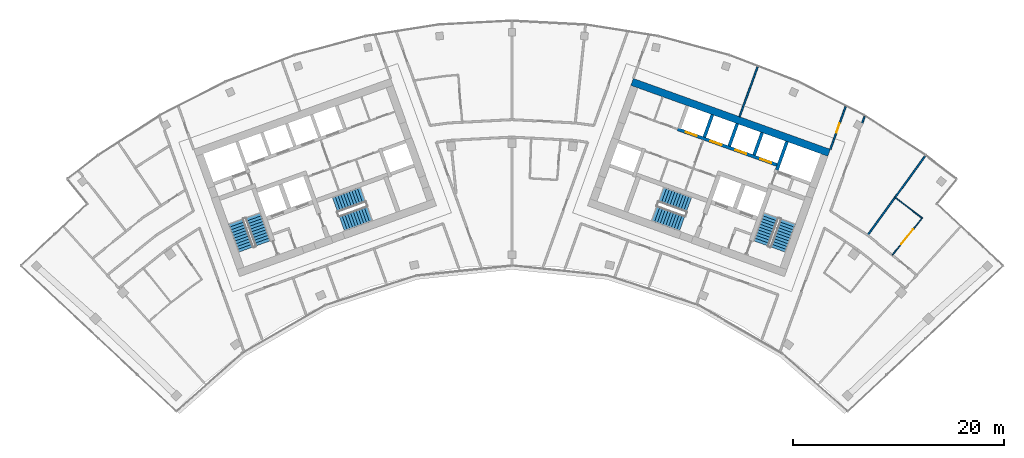
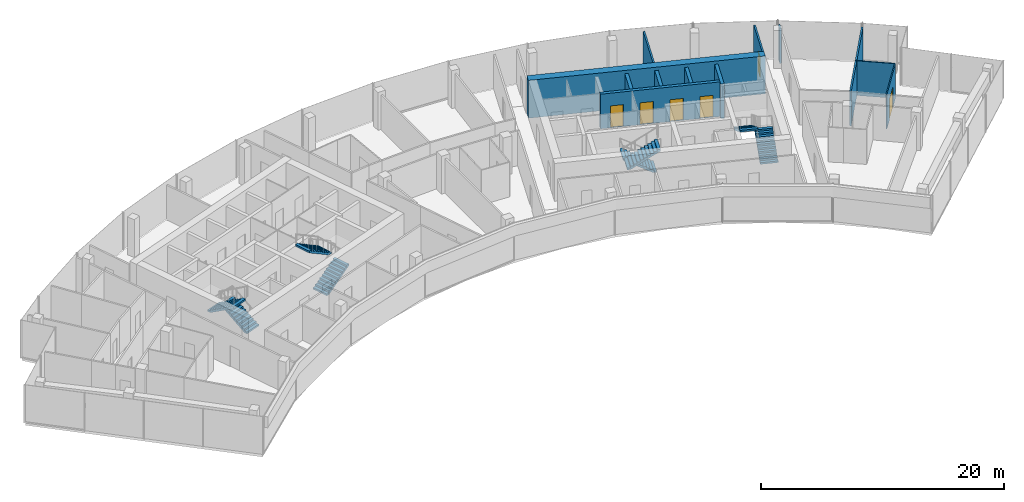
# One storey, part 17 of 18: 13 walls, 8 stair flights, 6 doors, 6 openings, 4 elements without a shape of their own.
"""IFC4 building model written with IfcOpenShell, lengths in metres."""

from ifc_helpers import new_model, si_unit, direction, frame, frame_2d, origin, place, context, subcontext, project, spatial, polyline, rectangle, outline, extrude, material, layer, layer_set, type_object, element, fill, aggregate, save


model = new_model("IFC4")

# Units and contexts
model_context = context("Model", 3, precision=1e-05, world=origin(), true_north=direction((0.0, 1.0)))
body_context = subcontext(model_context, "Body", "Model", "MODEL_VIEW")
ifc_project = project(units=[si_unit("LENGTHUNIT", "METRE"), si_unit("AREAUNIT", "SQUARE_METRE"), si_unit("VOLUMEUNIT", "CUBIC_METRE"), si_unit("PLANEANGLEUNIT", "RADIAN"), si_unit("MASSUNIT", "GRAM", prefix="KILO")], contexts=[model_context])

# Site, building, storey
site_placement = place(None, origin())
site = spatial("IfcSite", under=ifc_project, at=site_placement, CompositionType="ELEMENT")
building_placement = place(site_placement, origin())
building = spatial("IfcBuilding", under=site, at=building_placement, Name="Stone Belt Terrace Tower", CompositionType="ELEMENT")
storey_placement = place(building_placement, frame((0.0, 0.0, 296.0)))
storey = spatial("IfcBuildingStorey", under=building, at=storey_placement, Name="L72", CompositionType="ELEMENT", Elevation=296.0)

# Walls
ifc_material_1 = material(Name="Concrete B60", Category="concrete")
ifc_layer_1 = layer(ifc_material_1, 0.699951171875)
ifc_layer_set_1 = layer_set([ifc_layer_1], Name="Core wall 700 B60")
wall_type_1 = type_object("IfcWallType", Name="Core wall 700 B60", PredefinedType="SHEAR", material=ifc_layer_set_1)
wall_1_placement = place(storey_placement, frame((11.35791015625, 60.795654296875, 0.0), z_axis=(0.0, 0.0, 1.0), x_axis=(0.940919787944, -0.33862952124, 0.0)))
element("IfcWall", 1, at=wall_1_placement, inside=storey, type_object=wall_type_1, Name="Core B wall convex L72", PredefinedType="SHEAR", context=body_context, shape_type="SweptSolid", body=[
    extrude(rectangle(XDim=19.7998046875, YDim=0.699951171875, at=frame_2d((9.89990234375, 0.0))), origin(), (0.0, 0.0, 1.0), 3.800048828125),
])
ifc_material_2 = material(Name="Concrete B80", Category="concrete")
ifc_layer_2 = layer(ifc_material_2, 0.300048828125)
ifc_layer_set_2 = layer_set([ifc_layer_2], Name="Lift shaft wall 300")
wall_type_2 = type_object("IfcWallType", Name="Lift shaft wall 300", PredefinedType="SHEAR", material=ifc_layer_set_2)
wall_2_placement = place(storey_placement, frame((25.046875, 52.46826171875, 0.0), z_axis=(0.0, 0.0, 1.0), x_axis=(0.338549588058, 0.940948551423, 0.0)))
element("IfcWall", 2, at=wall_2_placement, inside=storey, type_object=wall_type_2, Name="Core B wall", PredefinedType="SHEAR", context=body_context, shape_type="SweptSolid", body=[
    extrude(rectangle(XDim=2.849853515625, YDim=0.300048828125, at=frame_2d((1.4248046875, 0.0))), origin(), (0.0, 0.0, 1.0), 3.47998046875),
])

# Wall, openings, doors
wall_3_placement = place(storey_placement, frame((25.05810546875, 52.9423828125, 0.0), z_axis=(0.0, 0.0, 1.0), x_axis=(-0.940924441602, 0.338616590255, 0.0)))
wall_3 = element("IfcWall", 3, at=wall_3_placement, inside=storey, type_object=wall_type_2, Name="Core B wall", PredefinedType="SHEAR", context=body_context, shape_type="SweptSolid", body=[
    extrude(rectangle(XDim=10.000244140625, YDim=0.300048828125, at=frame_2d((5.0, 0.0))), origin(), (0.0, 0.0, 1.0), 3.47998046875),
])
opening_1_placement = place(wall_3_placement, frame((0.570068359375, 0.0, 0.0)))
opening_1 = element("IfcOpeningElement", 4, at=opening_1_placement, cuts=wall_3, Name="Opening L72-LD08", PredefinedType="OPENING", context=body_context, shape_type="SweptSolid", body=[
    extrude(rectangle(XDim=1.10009765625, YDim=2.199951171875, at=frame_2d((0.550048828125, 1.10009765625))), frame((0.0, 0.159912109375, 0.0), z_axis=(0.0, -1.0, 0.0), x_axis=(1.0, 0.0, 0.0)), (0.0, 0.0, 1.0), 0.320068359375),
])
opening_2_placement = place(wall_3_placement, frame((3.070068359375, 0.0, 0.0)))
opening_2 = element("IfcOpeningElement", 5, at=opening_2_placement, cuts=wall_3, Name="Opening L72-LD09", PredefinedType="OPENING", context=body_context, shape_type="SweptSolid", body=[
    extrude(rectangle(XDim=1.10009765625, YDim=2.199951171875, at=frame_2d((0.550048828125, 1.10009765625))), frame((0.0, 0.159912109375, 0.0), z_axis=(0.0, -1.0, 0.0), x_axis=(1.0, 0.0, 0.0)), (0.0, 0.0, 1.0), 0.320068359375),
])
opening_3_placement = place(wall_3_placement, frame((5.570068359375, 0.0, 0.0)))
opening_3 = element("IfcOpeningElement", 6, at=opening_3_placement, cuts=wall_3, Name="Opening L72-LD10", PredefinedType="OPENING", context=body_context, shape_type="SweptSolid", body=[
    extrude(rectangle(XDim=1.10009765625, YDim=2.199951171875, at=frame_2d((0.550048828125, 1.10009765625))), frame((0.0, 0.159912109375, 0.0), z_axis=(0.0, -1.0, 0.0), x_axis=(1.0, 0.0, 0.0)), (0.0, 0.0, 1.0), 0.320068359375),
])
opening_4_placement = place(wall_3_placement, frame((8.070068359375, 0.0, 0.0)))
opening_4 = element("IfcOpeningElement", 7, at=opening_4_placement, cuts=wall_3, Name="Opening L72-LD11", PredefinedType="OPENING", context=body_context, shape_type="SweptSolid", body=[
    extrude(rectangle(XDim=1.10009765625, YDim=2.199951171875, at=frame_2d((0.550048828125, 1.10009765625))), frame((0.0, 0.159912109375, 0.0), z_axis=(0.0, -1.0, 0.0), x_axis=(1.0, 0.0, 0.0)), (0.0, 0.0, 1.0), 0.320068359375),
])
ifc_material_3 = material(Name="Stainless steel door leaf", Category="steel")
door_type_1 = type_object("IfcDoorType", Name="Landing door 1100", OperationType="SLIDING_TO_LEFT", PredefinedType="DOOR", material=ifc_material_3)
door_1_placement = place(opening_1_placement, origin())
door_1 = element("IfcDoor", 8, at=door_1_placement, inside=storey, type_object=door_type_1, Name="Landing door HR1 core B", OperationType="SLIDING_TO_LEFT", OverallHeight=2.199951171875, OverallWidth=1.10009765625, PredefinedType="DOOR", context=body_context, shape_type="SweptSolid", body=[
    extrude(rectangle(XDim=1.10009765625, YDim=2.199951171875, at=frame_2d((0.550048828125, 1.10009765625))), frame((0.0, 0.02490234375, 0.0), z_axis=(0.0, -1.0, 0.0), x_axis=(1.0, 0.0, 0.0)), (0.0, 0.0, 1.0), 0.050048828125),
])
fill(opening_1, door_1)
door_2_placement = place(opening_2_placement, origin())
door_2 = element("IfcDoor", 9, at=door_2_placement, inside=storey, type_object=door_type_1, Name="Landing door HR2 core B", OperationType="SLIDING_TO_LEFT", OverallHeight=2.199951171875, OverallWidth=1.10009765625, PredefinedType="DOOR", context=body_context, shape_type="SweptSolid", body=[
    extrude(rectangle(XDim=1.10009765625, YDim=2.199951171875, at=frame_2d((0.550048828125, 1.10009765625))), frame((0.0, 0.02490234375, 0.0), z_axis=(0.0, -1.0, 0.0), x_axis=(1.0, 0.0, 0.0)), (0.0, 0.0, 1.0), 0.050048828125),
])
fill(opening_2, door_2)
door_3_placement = place(opening_3_placement, origin())
door_3 = element("IfcDoor", 10, at=door_3_placement, inside=storey, type_object=door_type_1, Name="Landing door HR3 core B", OperationType="SLIDING_TO_LEFT", OverallHeight=2.199951171875, OverallWidth=1.10009765625, PredefinedType="DOOR", context=body_context, shape_type="SweptSolid", body=[
    extrude(rectangle(XDim=1.10009765625, YDim=2.199951171875, at=frame_2d((0.550048828125, 1.10009765625))), frame((0.0, 0.02490234375, 0.0), z_axis=(0.0, -1.0, 0.0), x_axis=(1.0, 0.0, 0.0)), (0.0, 0.0, 1.0), 0.050048828125),
])
fill(opening_3, door_3)
door_4_placement = place(opening_4_placement, origin())
door_4 = element("IfcDoor", 11, at=door_4_placement, inside=storey, type_object=door_type_1, Name="Landing door HR4 core B", OperationType="SLIDING_TO_LEFT", OverallHeight=2.199951171875, OverallWidth=1.10009765625, PredefinedType="DOOR", context=body_context, shape_type="SweptSolid", body=[
    extrude(rectangle(XDim=1.10009765625, YDim=2.199951171875, at=frame_2d((0.550048828125, 1.10009765625))), frame((0.0, 0.02490234375, 0.0), z_axis=(0.0, -1.0, 0.0), x_axis=(1.0, 0.0, 0.0)), (0.0, 0.0, 1.0), 0.050048828125),
])
fill(opening_4, door_4)

# Walls
wall_4_placement = place(storey_placement, frame((22.897705078125, 53.87939453125, 0.0), z_axis=(0.0, 0.0, 1.0), x_axis=(0.338535034312, 0.940953787677, 0.0)))
element("IfcWall", 12, at=wall_4_placement, inside=storey, type_object=wall_type_2, Name="Core B wall", PredefinedType="SHEAR", context=body_context, shape_type="SweptSolid", body=[
    extrude(rectangle(XDim=2.25, YDim=0.300048828125, at=frame_2d((1.125, 0.0))), origin(), (0.0, 0.0, 1.0), 3.47998046875),
])
wall_5_placement = place(storey_placement, frame((20.54541015625, 54.72607421875, 0.0), z_axis=(0.0, 0.0, 1.0), x_axis=(0.338569601369, 0.940941350472, 0.0)))
element("IfcWall", 13, at=wall_5_placement, inside=storey, type_object=wall_type_2, Name="Core B wall", PredefinedType="SHEAR", context=body_context, shape_type="SweptSolid", body=[
    extrude(rectangle(XDim=2.249755859375, YDim=0.300048828125, at=frame_2d((1.125, 0.0))), origin(), (0.0, 0.0, 1.0), 3.47998046875),
])
wall_6_placement = place(storey_placement, frame((18.193115234375, 55.572509765625, 0.0), z_axis=(0.0, 0.0, 1.0), x_axis=(0.338535034312, 0.940953787677, 0.0)))
element("IfcWall", 14, at=wall_6_placement, inside=storey, type_object=wall_type_2, Name="Core B wall", PredefinedType="SHEAR", context=body_context, shape_type="SweptSolid", body=[
    extrude(rectangle(XDim=2.25, YDim=0.300048828125, at=frame_2d((1.125, 0.0))), origin(), (0.0, 0.0, 1.0), 3.47998046875),
])

# Wall, opening, door
ifc_material_4 = material(Name="Gypsum board partition")
ifc_layer_3 = layer(ifc_material_4, 0.10009765625)
ifc_layer_set_3 = layer_set([ifc_layer_3], Name="PARTITION 100")
wall_type_3 = type_object("IfcWallType", Name="PARTITION 100", PredefinedType="PARTITIONING", material=ifc_layer_set_3)
wall_7_placement = place(storey_placement, frame((35.964111328125, 44.410888671875, 0.0), z_axis=(0.0, 0.0, 1.0), x_axis=(0.629177935628, 0.777261297968, 0.0)))
wall_7 = element("IfcWall", 15, at=wall_7_placement, inside=storey, type_object=wall_type_3, Name="L72/wall/i083", PredefinedType="PARTITIONING", context=body_context, shape_type="SweptSolid", body=[
    extrude(rectangle(XDim=4.499267578125, YDim=0.10009765625, at=frame_2d((2.24951171875, 0.0))), origin(), (0.0, 0.0, 1.0), 3.47998046875),
])
opening_5_placement = place(wall_7_placement, frame((1.349609375, 0.0, 0.0)))
opening_5 = element("IfcOpeningElement", 16, at=opening_5_placement, cuts=wall_7, Name="Opening D-E5-26", PredefinedType="OPENING", context=body_context, shape_type="SweptSolid", body=[
    extrude(rectangle(XDim=1.800048828125, YDim=2.10009765625, at=frame_2d((0.89990234375, 1.050048828125))), frame((0.0, 0.06005859375, 0.0), z_axis=(0.0, -1.0, 0.0), x_axis=(1.0, 0.0, 0.0)), (0.0, 0.0, 1.0), 0.1201171875),
])
ifc_material_5 = material(Name="Timber door leaf", Category="wood")
door_type_2 = type_object("IfcDoorType", Name="DOUBLE DOOR 1800 X 2100", OperationType="DOUBLE_DOOR_SINGLE_SWING", PredefinedType="DOOR", material=ifc_material_5)
door_5_placement = place(opening_5_placement, origin())
door_5 = element("IfcDoor", 17, at=door_5_placement, inside=storey, type_object=door_type_2, Name="L72/door/i26", OperationType="DOUBLE_DOOR_SINGLE_SWING", OverallHeight=2.10009765625, OverallWidth=1.800048828125, PredefinedType="DOOR", context=body_context, shape_type="SweptSolid", body=[
    extrude(rectangle(XDim=1.800048828125, YDim=2.10009765625, at=frame_2d((0.89990234375, 1.050048828125))), frame((0.0, 0.02490234375, 0.0), z_axis=(0.0, -1.0, 0.0), x_axis=(1.0, 0.0, 0.0)), (0.0, 0.0, 1.0), 0.050048828125),
])
fill(opening_5, door_5)

# Wall
wall_8_placement = place(storey_placement, frame((38.794921875, 47.907958984375, 0.0), z_axis=(0.0, 0.0, 1.0), x_axis=(-0.793222644021, 0.608931717857, 0.0)))
element("IfcWall", 18, at=wall_8_placement, inside=storey, type_object=wall_type_3, Name="L72/wall/i084", PredefinedType="PARTITIONING", context=body_context, shape_type="SweptSolid", body=[
    extrude(rectangle(XDim=3.22705078125, YDim=0.10009765625, at=frame_2d((1.613525390625, 0.0))), origin(), (0.0, 0.0, 1.0), 3.47998046875),
])

# Wall, opening, door
ifc_layer_4 = layer(ifc_material_4, 0.14990234375)
ifc_layer_set_4 = layer_set([ifc_layer_4], Name="PARTITION 150 EI 60")
wall_type_4 = type_object("IfcWallType", Name="PARTITION 150 EI 60", PredefinedType="PARTITIONING", material=ifc_layer_set_4)
wall_9_placement = place(storey_placement, frame((30.10595703125, 54.419921875, 0.0), z_axis=(0.0, 0.0, 1.0), x_axis=(0.338580264222, 0.940937513695, 0.0)))
wall_9 = element("IfcWall", 19, at=wall_9_placement, inside=storey, type_object=wall_type_4, Name="L72/wall/i028", PredefinedType="PARTITIONING", context=body_context, shape_type="SweptSolid", body=[
    extrude(rectangle(XDim=4.285400390625, YDim=0.14990234375, at=frame_2d((2.142578125, 0.0))), origin(), (0.0, 0.0, 1.0), 3.47998046875),
])
opening_6_placement = place(wall_9_placement, frame((1.692626953125, 0.0, 0.0)))
opening_6 = element("IfcOpeningElement", 20, at=opening_6_placement, cuts=wall_9, Name="Opening D-E5-12", PredefinedType="OPENING", context=body_context, shape_type="SweptSolid", body=[
    extrude(rectangle(XDim=0.89990234375, YDim=2.10009765625, at=frame_2d((0.449951171875, 1.050048828125))), frame((0.0, 0.0849609375, 0.0), z_axis=(0.0, -1.0, 0.0), x_axis=(1.0, 0.0, 0.0)), (0.0, 0.0, 1.0), 0.169921875),
])
door_type_3 = type_object("IfcDoorType", Name="OFFICE DOOR 900 X 2100", OperationType="NOTDEFINED", PredefinedType="DOOR", material=ifc_material_5)
door_6_placement = place(opening_6_placement, origin())
door_6 = element("IfcDoor", 21, at=door_6_placement, inside=storey, type_object=door_type_3, Name="L72/door/i12", OperationType="SINGLE_SWING_RIGHT", OverallHeight=2.10009765625, OverallWidth=0.89990234375, PredefinedType="DOOR", context=body_context, shape_type="SweptSolid", body=[
    extrude(rectangle(XDim=0.89990234375, YDim=2.10009765625, at=frame_2d((0.449951171875, 1.050048828125))), frame((0.0, 0.02490234375, 0.0), z_axis=(0.0, -1.0, 0.0), x_axis=(1.0, 0.0, 0.0)), (0.0, 0.0, 1.0), 0.050048828125),
])
fill(opening_6, door_6)

# Walls
wall_10_placement = place(storey_placement, frame((33.348876953125, 57.523193359375, 0.0), z_axis=(0.0, 0.0, 1.0), x_axis=(-0.338733145318, -0.94088248802, 0.0)))
element("IfcWall", 22, at=wall_10_placement, inside=storey, type_object=wall_type_4, Name="L72/wall/i031", PredefinedType="PARTITIONING", context=body_context, shape_type="SweptSolid", body=[
    extrude(rectangle(XDim=0.632080078125, YDim=0.14990234375, at=frame_2d((0.31591796875, 0.0))), origin(), (0.0, 0.0, 1.0), 3.47998046875),
])
wall_11_placement = place(storey_placement, frame((23.222900390625, 62.218994140625, 0.0), z_axis=(0.0, 0.0, 1.0), x_axis=(-0.33852260732, -0.94095825855, 0.0)))
element("IfcWall", 23, at=wall_11_placement, inside=storey, type_object=wall_type_4, Name="L72/wall/i041", PredefinedType="PARTITIONING", context=body_context, shape_type="SweptSolid", body=[
    extrude(rectangle(XDim=5.006591796875, YDim=0.14990234375, at=frame_2d((2.50341796875, 0.0))), origin(), (0.0, 0.0, 1.0), 3.47998046875),
])
wall_12_placement = place(storey_placement, frame((39.087890625, 53.7998046875, 0.0), z_axis=(0.0, 0.0, 1.0), x_axis=(-0.587819200651, -0.808992328361, 0.0)))
element("IfcWall", 24, at=wall_12_placement, inside=storey, type_object=wall_type_4, Name="L72/wall/i081", PredefinedType="PARTITIONING", context=body_context, shape_type="SweptSolid", body=[
    extrude(rectangle(XDim=4.860107421875, YDim=0.14990234375, at=frame_2d((2.43017578125, 0.0))), origin(), (0.0, 0.0, 1.0), 3.47998046875),
])
wall_13_placement = place(storey_placement, frame((36.238037109375, 49.8779296875, 0.0), z_axis=(0.0, 0.0, 1.0), x_axis=(-0.587719131072, -0.809065030126, 0.0)))
element("IfcWall", 25, at=wall_13_placement, inside=storey, type_object=wall_type_4, Name="L72/wall/i082", PredefinedType="PARTITIONING", context=body_context, shape_type="SweptSolid", body=[
    extrude(rectangle(XDim=4.427490234375, YDim=0.14990234375, at=frame_2d((2.2138671875, 0.0))), origin(), (0.0, 0.0, 1.0), 3.47998046875),
])

# Stair, stair flights
ifc_material_6 = material(Name="Concrete B40", Category="concrete")
stair_type = type_object("IfcStairType", Name="Exit stair 1500", PredefinedType="HALF_TURN_STAIR", material=ifc_material_6)
stair_1_placement = place(storey_placement, origin())
stair_1 = element("IfcStair", 26, at=stair_1_placement, inside=storey, type_object=stair_type, Name="L72 Exit stair 1 core A", PredefinedType="HALF_TURN_STAIR")
stair_flight_type = type_object("IfcStairFlightType", Name="Stair flight 1500", PredefinedType="STRAIGHT", material=ifc_material_6)
stair_flight_1_placement = place(storey_placement, frame((-23.55322265625, 45.51318359375, 0.0), z_axis=(0.0, 0.0, 1.0), x_axis=(-0.338624396177, 0.940921632398, 0.0)))
stair_flight_1 = element("IfcStairFlight", 27, at=stair_flight_1_placement, type_object=stair_flight_type, Name="ST1A flight 1", NumberOfRisers=11, NumberOfTreads=10, PredefinedType="STRAIGHT", RiserHeight=0.172727273, TreadLength=0.28, context=body_context, shape_type="SweptSolid", body=[
    extrude(outline(polyline([(0.0, 0.0), (0.0, 0.172607421875), (0.280029296875, 0.172607421875), (0.280029296875, 0.345458984375), (0.56005859375, 0.345458984375), (0.56005859375, 0.51806640625), (0.840087890625, 0.51806640625), (0.840087890625, 0.69091796875), (1.1201171875, 0.69091796875), (1.1201171875, 0.863525390625), (1.39990234375, 0.863525390625), (1.39990234375, 1.036376953125), (1.679931640625, 1.036376953125), (1.679931640625, 1.208984375), (1.9599609375, 1.208984375), (1.9599609375, 1.3818359375), (2.239990234375, 1.3818359375), (2.239990234375, 1.554443359375), (2.52001953125, 1.554443359375), (2.52001953125, 1.727294921875), (2.800048828125, 1.727294921875), (2.800048828125, 1.89990234375), (2.800048828125, 1.551025390625), (0.285400390625, 0.0), (0.0, 0.0)])), frame((0.0, 0.75, 0.0), z_axis=(0.0, -1.0, 0.0), x_axis=(1.0, 0.0, 0.0)), (0.0, 0.0, 1.0), 1.5),
])
stair_flight_2_placement = place(storey_placement, frame((-26.10107421875, 47.572021484375, 1.89990234375), z_axis=(0.0, 0.0, 1.0), x_axis=(0.338624396177, -0.940921632398, 0.0)))
stair_flight_2 = element("IfcStairFlight", 28, at=stair_flight_2_placement, type_object=stair_flight_type, Name="ST1A flight 2", NumberOfRisers=11, NumberOfTreads=10, PredefinedType="STRAIGHT", RiserHeight=0.172727273, TreadLength=0.28, context=body_context, shape_type="SweptSolid", body=[
    extrude(outline(polyline([(0.0, 0.0), (0.0, 0.172607421875), (0.280029296875, 0.172607421875), (0.280029296875, 0.345458984375), (0.56005859375, 0.345458984375), (0.56005859375, 0.51806640625), (0.840087890625, 0.51806640625), (0.840087890625, 0.69091796875), (1.1201171875, 0.69091796875), (1.1201171875, 0.863525390625), (1.39990234375, 0.863525390625), (1.39990234375, 1.036376953125), (1.679931640625, 1.036376953125), (1.679931640625, 1.208984375), (1.9599609375, 1.208984375), (1.9599609375, 1.3818359375), (2.239990234375, 1.3818359375), (2.239990234375, 1.554443359375), (2.52001953125, 1.554443359375), (2.52001953125, 1.727294921875), (2.800048828125, 1.727294921875), (2.800048828125, 1.89990234375), (2.800048828125, 1.551025390625), (0.285400390625, 0.0), (0.0, 0.0)])), frame((0.0, 0.75, 0.0), z_axis=(0.0, -1.0, 0.0), x_axis=(1.0, 0.0, 0.0)), (0.0, 0.0, 1.0), 1.5),
])
aggregate(stair_1, [stair_flight_1, stair_flight_2])

stair_2_placement = place(storey_placement, origin())
stair_2 = element("IfcStair", 29, at=stair_2_placement, inside=storey, type_object=stair_type, Name="L72 Exit stair 2 core A", PredefinedType="HALF_TURN_STAIR")
stair_flight_3_placement = place(storey_placement, frame((-16.101318359375, 47.39794921875, 0.0), z_axis=(0.0, 0.0, 1.0), x_axis=(0.940921632398, 0.338624396177, 0.0)))
stair_flight_3 = element("IfcStairFlight", 30, at=stair_flight_3_placement, type_object=stair_flight_type, Name="ST2A flight 1", NumberOfRisers=11, NumberOfTreads=10, PredefinedType="STRAIGHT", RiserHeight=0.172727273, TreadLength=0.28, context=body_context, shape_type="SweptSolid", body=[
    extrude(outline(polyline([(0.0, 0.0), (0.0, 0.172607421875), (0.280029296875, 0.172607421875), (0.280029296875, 0.345458984375), (0.56005859375, 0.345458984375), (0.56005859375, 0.51806640625), (0.840087890625, 0.51806640625), (0.840087890625, 0.69091796875), (1.1201171875, 0.69091796875), (1.1201171875, 0.863525390625), (1.39990234375, 0.863525390625), (1.39990234375, 1.036376953125), (1.679931640625, 1.036376953125), (1.679931640625, 1.208984375), (1.9599609375, 1.208984375), (1.9599609375, 1.3818359375), (2.239990234375, 1.3818359375), (2.239990234375, 1.554443359375), (2.52001953125, 1.554443359375), (2.52001953125, 1.727294921875), (2.800048828125, 1.727294921875), (2.800048828125, 1.89990234375), (2.800048828125, 1.551025390625), (0.285400390625, 0.0), (0.0, 0.0)])), frame((0.0, 0.75, 0.0), z_axis=(0.0, -1.0, 0.0), x_axis=(1.0, 0.0, 0.0)), (0.0, 0.0, 1.0), 1.5),
])
stair_flight_4_placement = place(storey_placement, frame((-14.110107421875, 50.1337890625, 1.89990234375), z_axis=(0.0, 0.0, 1.0), x_axis=(-0.940921632398, -0.338624396177, 0.0)))
stair_flight_4 = element("IfcStairFlight", 31, at=stair_flight_4_placement, type_object=stair_flight_type, Name="ST2A flight 2", NumberOfRisers=11, NumberOfTreads=10, PredefinedType="STRAIGHT", RiserHeight=0.172727273, TreadLength=0.28, context=body_context, shape_type="SweptSolid", body=[
    extrude(outline(polyline([(0.0, 0.0), (0.0, 0.172607421875), (0.280029296875, 0.172607421875), (0.280029296875, 0.345458984375), (0.56005859375, 0.345458984375), (0.56005859375, 0.51806640625), (0.840087890625, 0.51806640625), (0.840087890625, 0.69091796875), (1.1201171875, 0.69091796875), (1.1201171875, 0.863525390625), (1.39990234375, 0.863525390625), (1.39990234375, 1.036376953125), (1.679931640625, 1.036376953125), (1.679931640625, 1.208984375), (1.9599609375, 1.208984375), (1.9599609375, 1.3818359375), (2.239990234375, 1.3818359375), (2.239990234375, 1.554443359375), (2.52001953125, 1.554443359375), (2.52001953125, 1.727294921875), (2.800048828125, 1.727294921875), (2.800048828125, 1.89990234375), (2.800048828125, 1.551025390625), (0.285400390625, 0.0), (0.0, 0.0)])), frame((0.0, 0.75, 0.0), z_axis=(0.0, -1.0, 0.0), x_axis=(1.0, 0.0, 0.0)), (0.0, 0.0, 1.0), 1.5),
])
aggregate(stair_2, [stair_flight_3, stair_flight_4])

stair_3_placement = place(storey_placement, origin())
stair_3 = element("IfcStair", 32, at=stair_3_placement, inside=storey, type_object=stair_type, Name="L72 Exit stair 1 core B", PredefinedType="HALF_TURN_STAIR")
stair_flight_5_placement = place(storey_placement, frame((25.15283203125, 44.9375, 0.0), z_axis=(0.0, 0.0, 1.0), x_axis=(0.338624396177, 0.940921632398, 0.0)))
stair_flight_5 = element("IfcStairFlight", 33, at=stair_flight_5_placement, type_object=stair_flight_type, Name="ST1B flight 1", NumberOfRisers=11, NumberOfTreads=10, PredefinedType="STRAIGHT", RiserHeight=0.172727273, TreadLength=0.28, context=body_context, shape_type="SweptSolid", body=[
    extrude(outline(polyline([(0.0, 0.0), (0.0, 0.172607421875), (0.280029296875, 0.172607421875), (0.280029296875, 0.345458984375), (0.56005859375, 0.345458984375), (0.56005859375, 0.51806640625), (0.840087890625, 0.51806640625), (0.840087890625, 0.69091796875), (1.1201171875, 0.69091796875), (1.1201171875, 0.863525390625), (1.39990234375, 0.863525390625), (1.39990234375, 1.036376953125), (1.679931640625, 1.036376953125), (1.679931640625, 1.208984375), (1.9599609375, 1.208984375), (1.9599609375, 1.3818359375), (2.239990234375, 1.3818359375), (2.239990234375, 1.554443359375), (2.52001953125, 1.554443359375), (2.52001953125, 1.727294921875), (2.800048828125, 1.727294921875), (2.800048828125, 1.89990234375), (2.800048828125, 1.551025390625), (0.285400390625, 0.0), (0.0, 0.0)])), frame((0.0, 0.75, 0.0), z_axis=(0.0, -1.0, 0.0), x_axis=(1.0, 0.0, 0.0)), (0.0, 0.0, 1.0), 1.5),
])
stair_flight_6_placement = place(storey_placement, frame((24.50146484375, 48.147705078125, 1.89990234375), z_axis=(0.0, 0.0, 1.0), x_axis=(-0.338624396177, -0.940921632398, 0.0)))
stair_flight_6 = element("IfcStairFlight", 34, at=stair_flight_6_placement, type_object=stair_flight_type, Name="ST1B flight 2", NumberOfRisers=11, NumberOfTreads=10, PredefinedType="STRAIGHT", RiserHeight=0.172727273, TreadLength=0.28, context=body_context, shape_type="SweptSolid", body=[
    extrude(outline(polyline([(0.0, 0.0), (0.0, 0.172607421875), (0.280029296875, 0.172607421875), (0.280029296875, 0.345458984375), (0.56005859375, 0.345458984375), (0.56005859375, 0.51806640625), (0.840087890625, 0.51806640625), (0.840087890625, 0.69091796875), (1.1201171875, 0.69091796875), (1.1201171875, 0.863525390625), (1.39990234375, 0.863525390625), (1.39990234375, 1.036376953125), (1.679931640625, 1.036376953125), (1.679931640625, 1.208984375), (1.9599609375, 1.208984375), (1.9599609375, 1.3818359375), (2.239990234375, 1.3818359375), (2.239990234375, 1.554443359375), (2.52001953125, 1.554443359375), (2.52001953125, 1.727294921875), (2.800048828125, 1.727294921875), (2.800048828125, 1.89990234375), (2.800048828125, 1.551025390625), (0.285400390625, 0.0), (0.0, 0.0)])), frame((0.0, 0.75, 0.0), z_axis=(0.0, -1.0, 0.0), x_axis=(1.0, 0.0, 0.0)), (0.0, 0.0, 1.0), 1.5),
])
aggregate(stair_3, [stair_flight_5, stair_flight_6])

stair_4_placement = place(storey_placement, origin())
stair_4 = element("IfcStair", 35, at=stair_4_placement, inside=storey, type_object=stair_type, Name="L72 Exit stair 2 core B", PredefinedType="HALF_TURN_STAIR")
stair_flight_7_placement = place(storey_placement, frame((16.74462890625, 49.185546875, 0.0), z_axis=(0.0, 0.0, 1.0), x_axis=(-0.940921632398, 0.338624396177, 0.0)))
stair_flight_7 = element("IfcStairFlight", 36, at=stair_flight_7_placement, type_object=stair_flight_type, Name="ST2B flight 1", NumberOfRisers=11, NumberOfTreads=10, PredefinedType="STRAIGHT", RiserHeight=0.172727273, TreadLength=0.28, context=body_context, shape_type="SweptSolid", body=[
    extrude(outline(polyline([(0.0, 0.0), (0.0, 0.172607421875), (0.280029296875, 0.172607421875), (0.280029296875, 0.345458984375), (0.56005859375, 0.345458984375), (0.56005859375, 0.51806640625), (0.840087890625, 0.51806640625), (0.840087890625, 0.69091796875), (1.1201171875, 0.69091796875), (1.1201171875, 0.863525390625), (1.39990234375, 0.863525390625), (1.39990234375, 1.036376953125), (1.679931640625, 1.036376953125), (1.679931640625, 1.208984375), (1.9599609375, 1.208984375), (1.9599609375, 1.3818359375), (2.239990234375, 1.3818359375), (2.239990234375, 1.554443359375), (2.52001953125, 1.554443359375), (2.52001953125, 1.727294921875), (2.800048828125, 1.727294921875), (2.800048828125, 1.89990234375), (2.800048828125, 1.551025390625), (0.285400390625, 0.0), (0.0, 0.0)])), frame((0.0, 0.75, 0.0), z_axis=(0.0, -1.0, 0.0), x_axis=(1.0, 0.0, 0.0)), (0.0, 0.0, 1.0), 1.5),
])
stair_flight_8_placement = place(storey_placement, frame((13.466796875, 48.345947265625, 1.89990234375), z_axis=(0.0, 0.0, 1.0), x_axis=(0.940921632398, -0.338624396177, 0.0)))
stair_flight_8 = element("IfcStairFlight", 37, at=stair_flight_8_placement, type_object=stair_flight_type, Name="ST2B flight 2", NumberOfRisers=11, NumberOfTreads=10, PredefinedType="STRAIGHT", RiserHeight=0.172727273, TreadLength=0.28, context=body_context, shape_type="SweptSolid", body=[
    extrude(outline(polyline([(0.0, 0.0), (0.0, 0.172607421875), (0.280029296875, 0.172607421875), (0.280029296875, 0.345458984375), (0.56005859375, 0.345458984375), (0.56005859375, 0.51806640625), (0.840087890625, 0.51806640625), (0.840087890625, 0.69091796875), (1.1201171875, 0.69091796875), (1.1201171875, 0.863525390625), (1.39990234375, 0.863525390625), (1.39990234375, 1.036376953125), (1.679931640625, 1.036376953125), (1.679931640625, 1.208984375), (1.9599609375, 1.208984375), (1.9599609375, 1.3818359375), (2.239990234375, 1.3818359375), (2.239990234375, 1.554443359375), (2.52001953125, 1.554443359375), (2.52001953125, 1.727294921875), (2.800048828125, 1.727294921875), (2.800048828125, 1.89990234375), (2.800048828125, 1.551025390625), (0.285400390625, 0.0), (0.0, 0.0)])), frame((0.0, 0.75, 0.0), z_axis=(0.0, -1.0, 0.0), x_axis=(1.0, 0.0, 0.0)), (0.0, 0.0, 1.0), 1.5),
])
aggregate(stair_4, [stair_flight_7, stair_flight_8])

save(model, "model.ifc")
